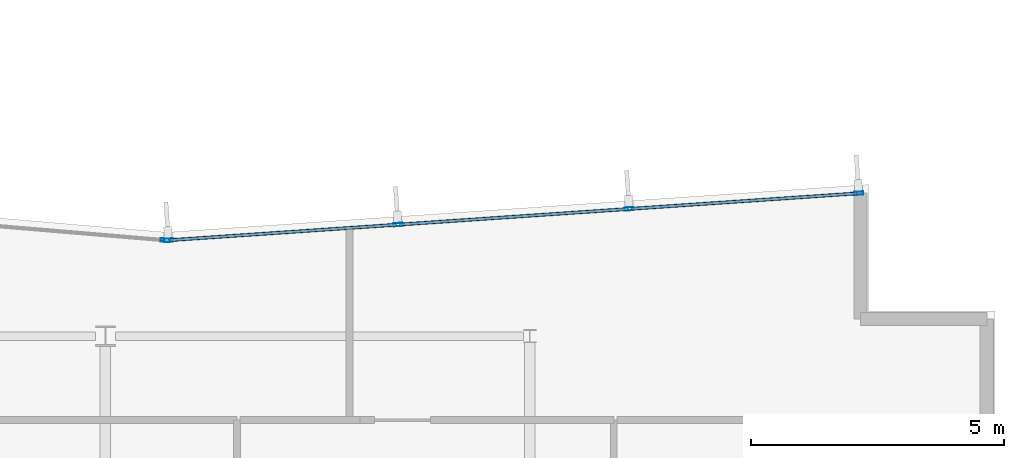
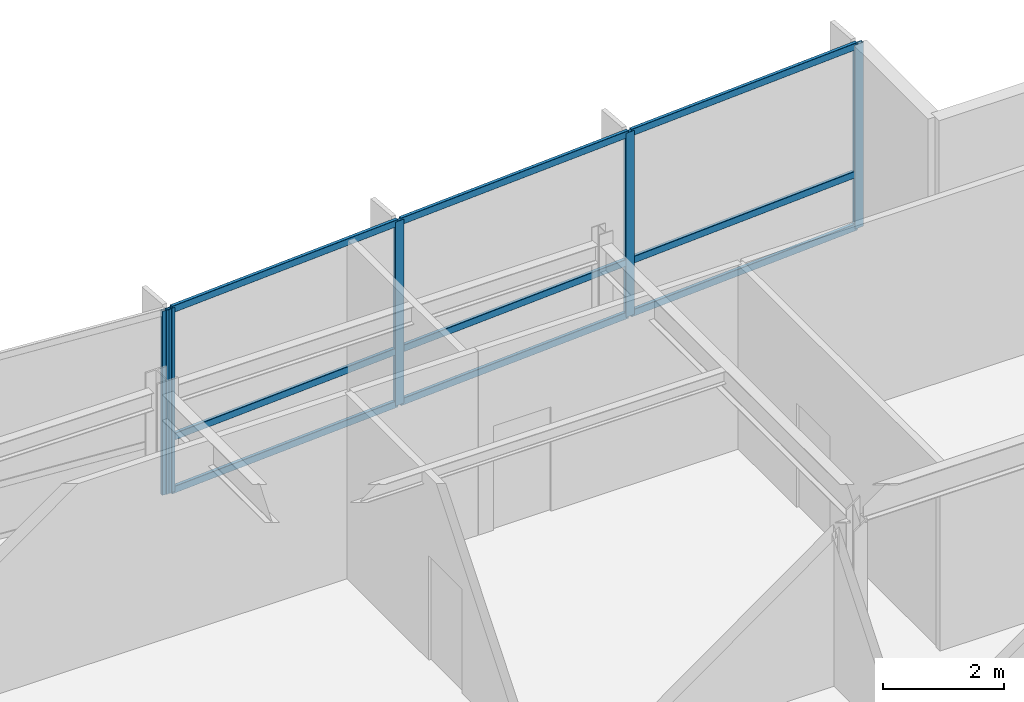
# One storey, part 7 of 15: 14 members, 2 elements without a shape of their own.
"""IFC4 building model written with IfcOpenShell, lengths in metres."""

from ifc_helpers import new_model, si_unit, direction, frame, origin, origin_2d, place, context, subcontext, project, spatial, hollow_rectangle, extrude, material, layer, layer_set, material_profile, profile_set, type_object, element, aggregate, save


model = new_model("IFC4")

# Units and contexts
model_context = context("Model", 3, precision=1e-05, world=origin(), true_north=direction((0.0, 1.0)))
body_context = subcontext(model_context, "Body", "Model", "MODEL_VIEW")
ifc_project = project(units=[si_unit("LENGTHUNIT", "METRE"), si_unit("AREAUNIT", "SQUARE_METRE"), si_unit("VOLUMEUNIT", "CUBIC_METRE"), si_unit("PLANEANGLEUNIT", "RADIAN"), si_unit("MASSUNIT", "GRAM", prefix="KILO")], contexts=[model_context])

# Site, building, storey
site_placement = place(None, origin())
site = spatial("IfcSite", under=ifc_project, at=site_placement, CompositionType="ELEMENT")
building_placement = place(site_placement, origin())
building = spatial("IfcBuilding", under=site, at=building_placement, Name="Varnakote Quay Hospital", CompositionType="ELEMENT")
storey_placement = place(building_placement, frame((0.0, 0.0, 200.0)))
storey = spatial("IfcBuildingStorey", under=building, at=storey_placement, Name="L49", CompositionType="ELEMENT", Elevation=200.0)

# Curtain wall, members
ifc_material_1 = material(Name="Anodised aluminium 6063-T6 Bronze", Category="aluminium")
ifc_layer = layer(ifc_material_1, 0.219970703125)
ifc_layer_set = layer_set([ifc_layer], Name="Anodised aluminium 6063-T6 Bronze")
curtain_wall_type = type_object("IfcCurtainWallType", Name="CW-SYS-4", PredefinedType="NOTDEFINED", material=ifc_layer_set)
curtain_wall_1_placement = place(storey_placement, origin())
curtain_wall_1 = element("IfcCurtainWall", 1, at=curtain_wall_1_placement, inside=storey, type_object=curtain_wall_type, Name="L49 Unitised Bronze Curtain Wall 1", PredefinedType="NOTDEFINED")
ifc_material_2 = material(Name="Anodised aluminium 6063-T6 Bronze", Category="aluminium")
ifc_material_profile_1 = material_profile(ifc_material_2, hollow_rectangle(XDim=0.06494140625, YDim=0.179931640625, WallThickness=0.00390625, InnerFilletRadius=0.00390625, OuterFilletRadius=0.008056640625, at=origin_2d()), Name="CW-MULL-180x65")
ifc_profile_set_1 = profile_set([ifc_material_profile_1], Name="Anodised aluminium 6063-T6 Bronze")
member_type_1 = type_object("IfcMemberType", Name="CW-MULL-180x65", PredefinedType="MULLION", material=ifc_profile_set_1)
member_1_placement = place(storey_placement, frame((48.507568359375, 31.626708984375, 0.0), z_axis=(0.0, 0.0, 1.0), x_axis=(0.067841851077, -0.997696087615, 0.0)))
member_1 = element("IfcMember", 2, at=member_1_placement, type_object=member_type_1, Name="-4-L49-1 mullion 1", PredefinedType="MULLION", context=body_context, shape_type="SweptSolid", body=[
    extrude(hollow_rectangle(XDim=0.06494140625, YDim=0.179931640625, WallThickness=0.00390625, InnerFilletRadius=0.00390625, OuterFilletRadius=0.008056640625, at=origin_2d()), origin(), (0.0, 0.0, 1.0), 3.7099609375),
])
member_2_placement = place(storey_placement, frame((43.96484375, 31.317626953125, 0.0), z_axis=(0.0, 0.0, 1.0), x_axis=(0.067841851077, -0.997696087615, 0.0)))
member_2 = element("IfcMember", 3, at=member_2_placement, type_object=member_type_1, Name="-4-L49-1 mullion 2", PredefinedType="MULLION", context=body_context, shape_type="SweptSolid", body=[
    extrude(hollow_rectangle(XDim=0.06494140625, YDim=0.179931640625, WallThickness=0.00390625, InnerFilletRadius=0.00390625, OuterFilletRadius=0.008056640625, at=origin_2d()), origin(), (0.0, 0.0, 1.0), 3.7099609375),
])
member_3_placement = place(storey_placement, frame((39.389892578125, 31.006591796875, 0.0), z_axis=(0.0, 0.0, 1.0), x_axis=(0.067841851077, -0.997696087615, 0.0)))
member_3 = element("IfcMember", 4, at=member_3_placement, type_object=member_type_1, Name="-4-L49-1 mullion 3", PredefinedType="MULLION", context=body_context, shape_type="SweptSolid", body=[
    extrude(hollow_rectangle(XDim=0.06494140625, YDim=0.179931640625, WallThickness=0.00390625, InnerFilletRadius=0.00390625, OuterFilletRadius=0.008056640625, at=origin_2d()), origin(), (0.0, 0.0, 1.0), 3.7099609375),
])
member_4_placement = place(storey_placement, frame((34.84716796875, 30.69775390625, 0.0), z_axis=(0.0, 0.0, 1.0), x_axis=(0.067841851077, -0.997696087615, 0.0)))
member_4 = element("IfcMember", 5, at=member_4_placement, type_object=member_type_1, Name="-4-L49-1 mullion 4", PredefinedType="MULLION", context=body_context, shape_type="SweptSolid", body=[
    extrude(hollow_rectangle(XDim=0.06494140625, YDim=0.179931640625, WallThickness=0.00390625, InnerFilletRadius=0.00390625, OuterFilletRadius=0.008056640625, at=origin_2d()), origin(), (0.0, 0.0, 1.0), 3.7099609375),
])

# Curtain wall, member
curtain_wall_2_placement = place(storey_placement, origin())
curtain_wall_2 = element("IfcCurtainWall", 6, at=curtain_wall_2_placement, inside=storey, type_object=curtain_wall_type, Name="L49 Unitised Bronze Curtain Wall 2", PredefinedType="NOTDEFINED")
member_5_placement = place(storey_placement, frame((34.7822265625, 30.6982421875, 0.0), z_axis=(0.0, 0.0, 1.0), x_axis=(-0.084136040089, -0.996454277304, 0.0)))
member_5 = element("IfcMember", 7, at=member_5_placement, type_object=member_type_1, Name="-4-L49-2 mullion 1", PredefinedType="MULLION", context=body_context, shape_type="SweptSolid", body=[
    extrude(hollow_rectangle(XDim=0.06494140625, YDim=0.179931640625, WallThickness=0.00390625, InnerFilletRadius=0.00390625, OuterFilletRadius=0.008056640625, at=origin_2d()), origin(), (0.0, 0.0, 1.0), 3.7099609375),
])
aggregate(curtain_wall_2, [member_5])

# Member
ifc_material_3 = material(Name="Anodised aluminium 6063-T6 Bronze", Category="aluminium")
ifc_material_profile_2 = material_profile(ifc_material_3, hollow_rectangle(XDim=0.06494140625, YDim=0.139892578125, WallThickness=0.00390625, InnerFilletRadius=0.00390625, OuterFilletRadius=0.007568359375, at=origin_2d()), Name="CW-TRAN-140x65")
ifc_profile_set_2 = profile_set([ifc_material_profile_2], Name="Anodised aluminium 6063-T6 Bronze")
member_type_2 = type_object("IfcMemberType", Name="CW-TRAN-140x65", PredefinedType="USERDEFINED", material=ifc_profile_set_2)
member_6_placement = place(storey_placement, frame((48.47509765625, 31.62451171875, 0.032470703125), z_axis=(-0.997692996523, -0.067887294022, 0.0), x_axis=(0.067887294022, -0.997692996523, 0.0)))
member_6 = element("IfcMember", 8, at=member_6_placement, type_object=member_type_2, Name="-4-L49-1 transom 1.1", ObjectType="TRANSOM", PredefinedType="USERDEFINED", context=body_context, shape_type="SweptSolid", body=[
    extrude(hollow_rectangle(XDim=0.06494140625, YDim=0.139892578125, WallThickness=0.00390625, InnerFilletRadius=0.00390625, OuterFilletRadius=0.007568359375, at=origin_2d()), origin(), (0.0, 0.0, 1.0), 4.488037109375),
])

member_7_placement = place(storey_placement, frame((48.47509765625, 31.62451171875, 1.10009765625), z_axis=(-0.997692996523, -0.067887294022, 0.0), x_axis=(0.067887294022, -0.997692996523, 0.0)))
member_7 = element("IfcMember", 9, at=member_7_placement, type_object=member_type_2, Name="-4-L49-1 transom 1.2", ObjectType="TRANSOM", PredefinedType="USERDEFINED", context=body_context, shape_type="SweptSolid", body=[
    extrude(hollow_rectangle(XDim=0.06494140625, YDim=0.139892578125, WallThickness=0.00390625, InnerFilletRadius=0.00390625, OuterFilletRadius=0.007568359375, at=origin_2d()), origin(), (0.0, 0.0, 1.0), 4.488037109375),
])

member_8_placement = place(storey_placement, frame((48.47509765625, 31.62451171875, 3.677490234375), z_axis=(-0.997692996523, -0.067887294022, 0.0), x_axis=(0.067887294022, -0.997692996523, 0.0)))
member_8 = element("IfcMember", 10, at=member_8_placement, type_object=member_type_2, Name="-4-L49-1 transom 1.3", ObjectType="TRANSOM", PredefinedType="USERDEFINED", context=body_context, shape_type="SweptSolid", body=[
    extrude(hollow_rectangle(XDim=0.06494140625, YDim=0.139892578125, WallThickness=0.00390625, InnerFilletRadius=0.00390625, OuterFilletRadius=0.007568359375, at=origin_2d()), origin(), (0.0, 0.0, 1.0), 4.488037109375),
])

member_9_placement = place(storey_placement, frame((43.932373046875, 31.3154296875, 0.032470703125), z_axis=(-0.997696835235, -0.06783085553, 0.0), x_axis=(0.06783085553, -0.997696835235, 0.0)))
member_9 = element("IfcMember", 11, at=member_9_placement, type_object=member_type_2, Name="-4-L49-1 transom 2.1", ObjectType="TRANSOM", PredefinedType="USERDEFINED", context=body_context, shape_type="SweptSolid", body=[
    extrude(hollow_rectangle(XDim=0.06494140625, YDim=0.139892578125, WallThickness=0.00390625, InnerFilletRadius=0.00390625, OuterFilletRadius=0.007568359375, at=origin_2d()), origin(), (0.0, 0.0, 1.0), 4.520751953125),
])

member_10_placement = place(storey_placement, frame((43.932373046875, 31.3154296875, 1.10009765625), z_axis=(-0.997696835235, -0.06783085553, 0.0), x_axis=(0.06783085553, -0.997696835235, 0.0)))
member_10 = element("IfcMember", 12, at=member_10_placement, type_object=member_type_2, Name="-4-L49-1 transom 2.2", ObjectType="TRANSOM", PredefinedType="USERDEFINED", context=body_context, shape_type="SweptSolid", body=[
    extrude(hollow_rectangle(XDim=0.06494140625, YDim=0.139892578125, WallThickness=0.00390625, InnerFilletRadius=0.00390625, OuterFilletRadius=0.007568359375, at=origin_2d()), origin(), (0.0, 0.0, 1.0), 4.520751953125),
])

member_11_placement = place(storey_placement, frame((43.932373046875, 31.3154296875, 3.677490234375), z_axis=(-0.997696835235, -0.06783085553, 0.0), x_axis=(0.06783085553, -0.997696835235, 0.0)))
member_11 = element("IfcMember", 13, at=member_11_placement, type_object=member_type_2, Name="-4-L49-1 transom 2.3", ObjectType="TRANSOM", PredefinedType="USERDEFINED", context=body_context, shape_type="SweptSolid", body=[
    extrude(hollow_rectangle(XDim=0.06494140625, YDim=0.139892578125, WallThickness=0.00390625, InnerFilletRadius=0.00390625, OuterFilletRadius=0.007568359375, at=origin_2d()), origin(), (0.0, 0.0, 1.0), 4.520751953125),
])

member_12_placement = place(storey_placement, frame((39.357421875, 31.00439453125, 0.032470703125), z_axis=(-0.997696679404, -0.06783314755, 0.0), x_axis=(0.06783314755, -0.997696679404, 0.0)))
member_12 = element("IfcMember", 14, at=member_12_placement, type_object=member_type_2, Name="-4-L49-1 transom 3.1", ObjectType="TRANSOM", PredefinedType="USERDEFINED", context=body_context, shape_type="SweptSolid", body=[
    extrude(hollow_rectangle(XDim=0.06494140625, YDim=0.139892578125, WallThickness=0.00390625, InnerFilletRadius=0.00390625, OuterFilletRadius=0.007568359375, at=origin_2d()), origin(), (0.0, 0.0, 1.0), 4.488037109375),
])

member_13_placement = place(storey_placement, frame((39.357421875, 31.00439453125, 1.10009765625), z_axis=(-0.997696679404, -0.06783314755, 0.0), x_axis=(0.06783314755, -0.997696679404, 0.0)))
member_13 = element("IfcMember", 15, at=member_13_placement, type_object=member_type_2, Name="-4-L49-1 transom 3.2", ObjectType="TRANSOM", PredefinedType="USERDEFINED", context=body_context, shape_type="SweptSolid", body=[
    extrude(hollow_rectangle(XDim=0.06494140625, YDim=0.139892578125, WallThickness=0.00390625, InnerFilletRadius=0.00390625, OuterFilletRadius=0.007568359375, at=origin_2d()), origin(), (0.0, 0.0, 1.0), 4.488037109375),
])

member_14_placement = place(storey_placement, frame((39.357421875, 31.00439453125, 3.677490234375), z_axis=(-0.997696679404, -0.06783314755, 0.0), x_axis=(0.06783314755, -0.997696679404, 0.0)))
member_14 = element("IfcMember", 16, at=member_14_placement, type_object=member_type_2, Name="-4-L49-1 transom 3.3", ObjectType="TRANSOM", PredefinedType="USERDEFINED", context=body_context, shape_type="SweptSolid", body=[
    extrude(hollow_rectangle(XDim=0.06494140625, YDim=0.139892578125, WallThickness=0.00390625, InnerFilletRadius=0.00390625, OuterFilletRadius=0.007568359375, at=origin_2d()), origin(), (0.0, 0.0, 1.0), 4.488037109375),
])

aggregate(curtain_wall_1, [member_1, member_2, member_3, member_4, member_6, member_7, member_8, member_9, member_10, member_11, member_12, member_13, member_14])

save(model, "model.ifc")
